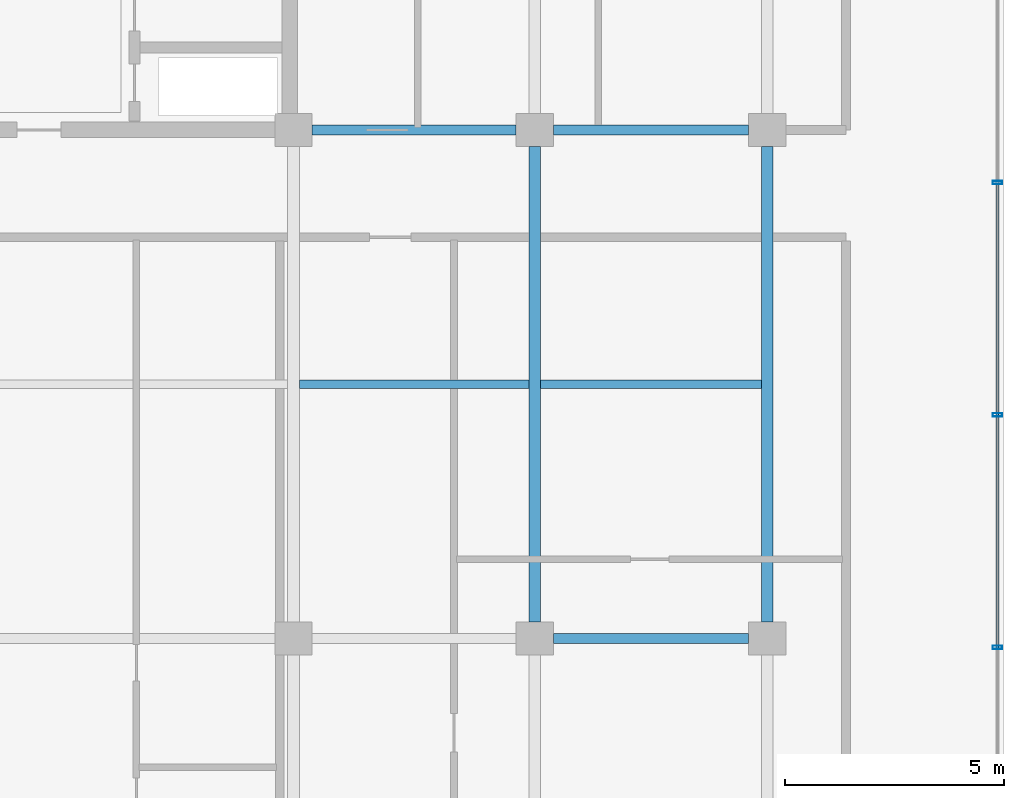
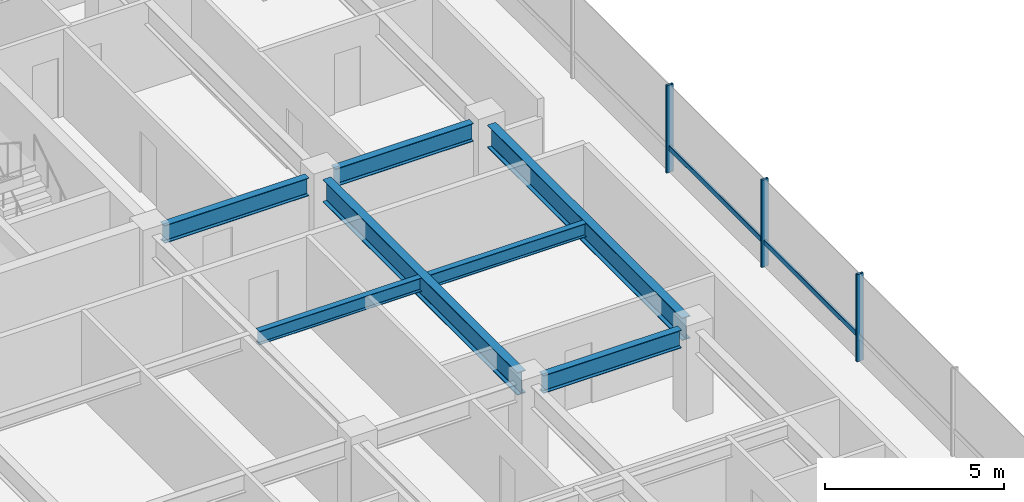
# One storey, part 8 of 38: 7 beams, 5 members, 1 element without a shape of its own.
"""IFC4 building model written with IfcOpenShell, lengths in metres."""

from ifc_helpers import new_model, si_unit, direction, frame, origin, origin_2d, place, context, subcontext, project, spatial, hollow_rectangle, i_section, extrude, material, layer, layer_set, material_profile, profile_set, type_object, element, aggregate, save


model = new_model("IFC4")

# Units and contexts
model_context = context("Model", 3, precision=1e-05, world=origin(), true_north=direction((0.0, 1.0)))
body_context = subcontext(model_context, "Body", "Model", "MODEL_VIEW")
ifc_project = project(units=[si_unit("LENGTHUNIT", "METRE"), si_unit("AREAUNIT", "SQUARE_METRE"), si_unit("VOLUMEUNIT", "CUBIC_METRE"), si_unit("PLANEANGLEUNIT", "RADIAN"), si_unit("MASSUNIT", "GRAM", prefix="KILO")], contexts=[model_context])

# Site, building, storey
site_placement = place(None, origin())
site = spatial("IfcSite", under=ifc_project, at=site_placement, CompositionType="ELEMENT")
building_placement = place(site_placement, origin())
building = spatial("IfcBuilding", under=site, at=building_placement, Name="Korimba Cascade Residences", CompositionType="ELEMENT")
storey_placement = place(building_placement, frame((0.0, 0.0, 93.800048828125)))
storey = spatial("IfcBuildingStorey", under=building, at=storey_placement, Name="L26", CompositionType="ELEMENT", Elevation=93.800048828125)

# Beams
ifc_material_1 = material(Name="Steel S355", Category="steel")
ifc_material_profile_1 = material_profile(ifc_material_1, i_section(OverallWidth=0.19140625, OverallDepth=0.4599609375, WebThickness=0.010009765625, FlangeThickness=0.01611328125, FilletRadius=0.01025390625, at=origin_2d()), Name="Steel S355")
ifc_profile_set_1 = profile_set([ifc_material_profile_1], Name="Steel S355")
beam_type_1 = type_object("IfcBeamType", Name="BM-STL-UB457", PredefinedType="JOIST", material=ifc_profile_set_1)
beam_1_placement = place(storey_placement, frame((118.23388671875, 12.60009765625, 2.739990234375), z_axis=(1.0, 0.0, 0.0), x_axis=(0.0, 1.0, 0.0)))
element("IfcBeam", 1, at=beam_1_placement, inside=storey, type_object=beam_type_1, Name="L26 T2 Floor Joist 2.6", PredefinedType="JOIST", context=body_context, shape_type="SweptSolid", body=[
    extrude(i_section(OverallWidth=0.19140625, OverallDepth=0.4599609375, WebThickness=0.010009765625, FlangeThickness=0.01611328125, FilletRadius=0.01025390625, at=origin_2d()), origin(), (0.0, 0.0, 1.0), 5.232177734375),
])
beam_2_placement = place(storey_placement, frame((123.73388671875, 12.60009765625, 2.739990234375), z_axis=(1.0, 0.0, 0.0), x_axis=(0.0, 1.0, 0.0)))
element("IfcBeam", 2, at=beam_2_placement, inside=storey, type_object=beam_type_1, Name="L26 T2 Floor Joist 2.7", PredefinedType="JOIST", context=body_context, shape_type="SweptSolid", body=[
    extrude(i_section(OverallWidth=0.19140625, OverallDepth=0.4599609375, WebThickness=0.010009765625, FlangeThickness=0.01611328125, FilletRadius=0.01025390625, at=origin_2d()), origin(), (0.0, 0.0, 1.0), 5.0322265625),
])
ifc_material_profile_2 = material_profile(ifc_material_1, i_section(OverallWidth=0.22900390625, OverallDepth=0.6123046875, WebThickness=0.011962890625, FlangeThickness=0.01953125, FilletRadius=0.0126953125, at=origin_2d()), Name="Steel S355")
ifc_profile_set_2 = profile_set([ifc_material_profile_2], Name="Steel S355")
beam_type_2 = type_object("IfcBeamType", Name="BM-STL-UB610B", PredefinedType="BEAM", material=ifc_profile_set_2)
beam_3_placement = place(storey_placement, frame((124.02490234375, 6.800048828125, 2.663818359375), z_axis=(1.0, 0.0, 0.0), x_axis=(0.0, 1.0, 0.0)))
element("IfcBeam", 3, at=beam_3_placement, inside=storey, type_object=beam_type_2, Name="L26 T2 E-W Girder Y2 Bay 7", PredefinedType="BEAM", context=body_context, shape_type="SweptSolid", body=[
    extrude(i_section(OverallWidth=0.22900390625, OverallDepth=0.6123046875, WebThickness=0.011962890625, FlangeThickness=0.01953125, FilletRadius=0.0126953125, at=origin_2d()), origin(), (0.0, 0.0, 1.0), 4.4501953125),
])
beam_4_placement = place(storey_placement, frame((118.52490234375, 18.39990234375, 2.663818359375), z_axis=(1.0, 0.0, 0.0), x_axis=(0.0, 1.0, 0.0)))
element("IfcBeam", 4, at=beam_4_placement, inside=storey, type_object=beam_type_2, Name="L26 T2 E-W Girder Y3 Bay 6", PredefinedType="BEAM", context=body_context, shape_type="SweptSolid", body=[
    extrude(i_section(OverallWidth=0.22900390625, OverallDepth=0.6123046875, WebThickness=0.011962890625, FlangeThickness=0.01953125, FilletRadius=0.0126953125, at=origin_2d()), origin(), (0.0, 0.0, 1.0), 4.650146484375),
])
beam_5_placement = place(storey_placement, frame((124.02490234375, 18.39990234375, 2.663818359375), z_axis=(1.0, 0.0, 0.0), x_axis=(0.0, 1.0, 0.0)))
element("IfcBeam", 5, at=beam_5_placement, inside=storey, type_object=beam_type_2, Name="L26 T2 E-W Girder Y3 Bay 7", PredefinedType="BEAM", context=body_context, shape_type="SweptSolid", body=[
    extrude(i_section(OverallWidth=0.22900390625, OverallDepth=0.6123046875, WebThickness=0.011962890625, FlangeThickness=0.01953125, FilletRadius=0.0126953125, at=origin_2d()), origin(), (0.0, 0.0, 1.0), 4.4501953125),
])
ifc_material_profile_3 = material_profile(ifc_material_1, i_section(OverallWidth=0.26806640625, OverallDepth=0.769775390625, WebThickness=0.015625, FlangeThickness=0.025390625, FilletRadius=0.0166015625, at=origin_2d()), Name="Steel S355")
ifc_profile_set_3 = profile_set([ifc_material_profile_3], Name="Steel S355")
beam_type_3 = type_object("IfcBeamType", Name="BM-STL-UB762", PredefinedType="BEAM", material=ifc_profile_set_3)
for number, where, z_axis, x_axis, name in (
    (6, (123.60009765625, 7.175048828125, 2.5849609375), (0.0, 1.0, 0.0), (-1.0, 0.0, 0.0), "L26 T2 N-S Girder X7 Seg 2"),
    (7, (128.89990234375, 7.175048828125, 2.5849609375), (0.0, 1.0, 0.0), (-1.0, 0.0, 0.0), "L26 T2 N-S Girder X8 Seg 2"),
):
    element("IfcBeam", number, at=place(storey_placement, frame(where, z_axis=z_axis, x_axis=x_axis)), inside=storey, type_object=beam_type_3, Name=name, PredefinedType="BEAM", context=body_context, shape_type="SweptSolid", body=[
        extrude(i_section(OverallWidth=0.26806640625, OverallDepth=0.769775390625, WebThickness=0.015625, FlangeThickness=0.025390625, FilletRadius=0.0166015625, at=origin_2d()), origin(), (0.0, 0.0, 1.0), 10.849853515625),
    ])

# Curtain wall, members
ifc_material_2 = material(Name="Anodised Aluminium Curtain Wall Framing", Category="aluminium")
ifc_layer = layer(ifc_material_2, 0.179931640625)
ifc_layer_set = layer_set([ifc_layer], Name="Anodised Aluminium Curtain Wall Framing")
curtain_wall_type = type_object("IfcCurtainWallType", Name="CW-SKY-SYS2", PredefinedType="NOTDEFINED", material=ifc_layer_set)
curtain_wall_placement = place(storey_placement, origin())
curtain_wall = element("IfcCurtainWall", 8, at=curtain_wall_placement, inside=storey, type_object=curtain_wall_type, Name="L26 Curtain Wall CW-L26-T2-E3", PredefinedType="NOTDEFINED")
ifc_material_3 = material(Name="Anodised Aluminium Mullion", Category="aluminium")
ifc_material_profile_4 = material_profile(ifc_material_3, hollow_rectangle(XDim=0.080078125, YDim=0.219970703125, WallThickness=0.00634765625, InnerFilletRadius=0.00634765625, OuterFilletRadius=0.0126953125, at=origin_2d()), Name="Anodised Aluminium Mullion")
ifc_profile_set_4 = profile_set([ifc_material_profile_4], Name="Anodised Aluminium Mullion")
member_type_1 = type_object("IfcMemberType", Name="CWM-MUL-220", PredefinedType="MULLION", material=ifc_profile_set_4)
member_1_placement = place(storey_placement, frame((134.14990234375, 6.60009765625, 0.0), z_axis=(0.0, 0.0, 1.0), x_axis=(0.0, 1.0, 0.0)))
member_1 = element("IfcMember", 9, at=member_1_placement, type_object=member_type_1, Name="CW-L26-T2-E3 Mullion 3", PredefinedType="MULLION", context=body_context, shape_type="SweptSolid", body=[
    extrude(hollow_rectangle(XDim=0.080078125, YDim=0.219970703125, WallThickness=0.00634765625, InnerFilletRadius=0.00634765625, OuterFilletRadius=0.0126953125, at=origin_2d()), origin(), (0.0, 0.0, 1.0), 2.969970703125),
])
member_2_placement = place(storey_placement, frame((134.14990234375, 11.89990234375, 0.0), z_axis=(0.0, 0.0, 1.0), x_axis=(0.0, 1.0, 0.0)))
member_2 = element("IfcMember", 10, at=member_2_placement, type_object=member_type_1, Name="CW-L26-T2-E3 Mullion 4", PredefinedType="MULLION", context=body_context, shape_type="SweptSolid", body=[
    extrude(hollow_rectangle(XDim=0.080078125, YDim=0.219970703125, WallThickness=0.00634765625, InnerFilletRadius=0.00634765625, OuterFilletRadius=0.0126953125, at=origin_2d()), origin(), (0.0, 0.0, 1.0), 2.969970703125),
])
member_3_placement = place(storey_placement, frame((134.14990234375, 17.199951171875, 0.0), z_axis=(0.0, 0.0, 1.0), x_axis=(0.0, 1.0, 0.0)))
member_3 = element("IfcMember", 11, at=member_3_placement, type_object=member_type_1, Name="CW-L26-T2-E3 Mullion 5", PredefinedType="MULLION", context=body_context, shape_type="SweptSolid", body=[
    extrude(hollow_rectangle(XDim=0.080078125, YDim=0.219970703125, WallThickness=0.00634765625, InnerFilletRadius=0.00634765625, OuterFilletRadius=0.0126953125, at=origin_2d()), origin(), (0.0, 0.0, 1.0), 2.969970703125),
])
ifc_material_4 = material(Name="Anodised Aluminium Transom", Category="aluminium")
ifc_material_profile_5 = material_profile(ifc_material_4, hollow_rectangle(XDim=0.070068359375, YDim=0.179931640625, WallThickness=0.0048828125, InnerFilletRadius=0.0048828125, OuterFilletRadius=0.010009765625, at=origin_2d()), Name="Anodised Aluminium Transom")
ifc_profile_set_5 = profile_set([ifc_material_profile_5], Name="Anodised Aluminium Transom")
member_type_2 = type_object("IfcMemberType", Name="CWM-TRN-150", PredefinedType="USERDEFINED", material=ifc_profile_set_5)
member_4_placement = place(storey_placement, frame((134.14990234375, 6.60009765625, 0.83154296875), z_axis=(0.0, 1.0, 0.0), x_axis=(-1.0, 0.0, 0.0)))
member_4 = element("IfcMember", 12, at=member_4_placement, type_object=member_type_2, Name="CW-L26-T2-E3 Transom 3", ObjectType="TRANSOM", PredefinedType="USERDEFINED", context=body_context, shape_type="SweptSolid", body=[
    extrude(hollow_rectangle(XDim=0.070068359375, YDim=0.179931640625, WallThickness=0.0048828125, InnerFilletRadius=0.0048828125, OuterFilletRadius=0.010009765625, at=origin_2d()), origin(), (0.0, 0.0, 1.0), 5.2998046875),
])
member_5_placement = place(storey_placement, frame((134.14990234375, 11.89990234375, 0.83154296875), z_axis=(0.0, 1.0, 0.0), x_axis=(-1.0, 0.0, 0.0)))
member_5 = element("IfcMember", 13, at=member_5_placement, type_object=member_type_2, Name="CW-L26-T2-E3 Transom 4", ObjectType="TRANSOM", PredefinedType="USERDEFINED", context=body_context, shape_type="SweptSolid", body=[
    extrude(hollow_rectangle(XDim=0.070068359375, YDim=0.179931640625, WallThickness=0.0048828125, InnerFilletRadius=0.0048828125, OuterFilletRadius=0.010009765625, at=origin_2d()), origin(), (0.0, 0.0, 1.0), 5.300048828125),
])
aggregate(curtain_wall, [member_1, member_2, member_3, member_4, member_5])

save(model, "model.ifc")
